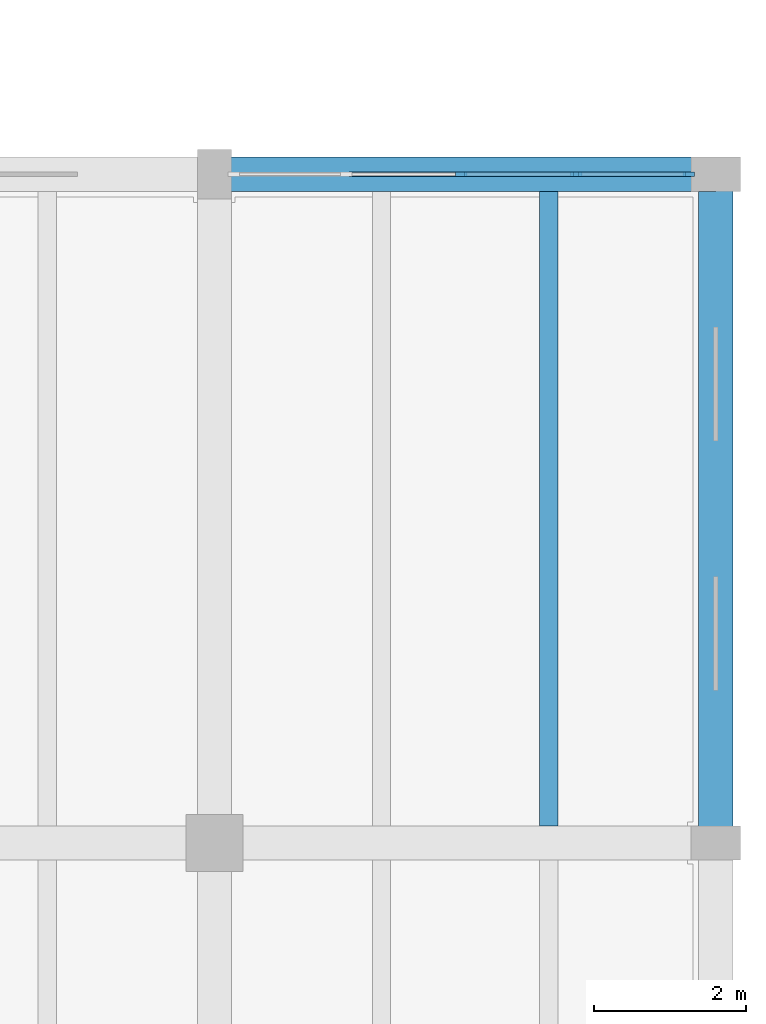
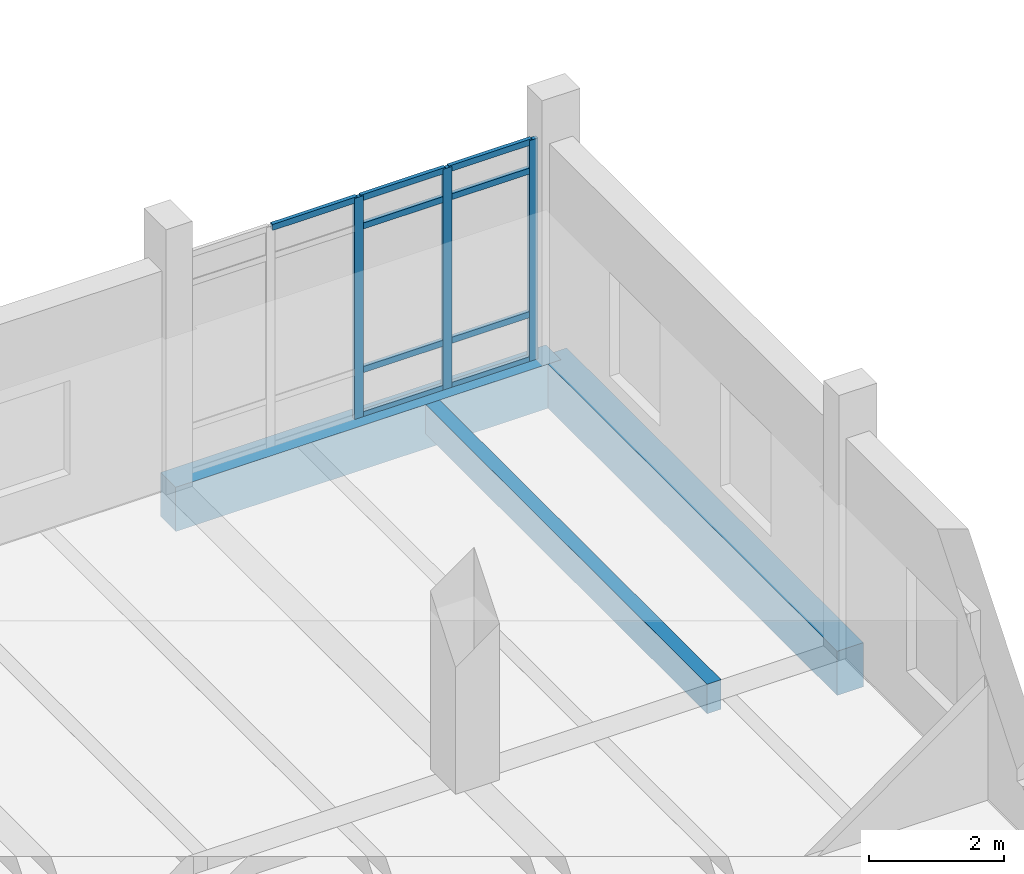
# One storey, part 51 of 125: 12 members, 3 beams, 1 element without a shape of its own.
"""IFC4 building model written with IfcOpenShell, lengths in metres."""

from ifc_helpers import new_model, si_unit, direction, frame, origin, origin_2d, place, context, subcontext, project, spatial, rectangle, extrude, material, material_profile, profile_set, type_object, element, aggregate, save


model = new_model("IFC4")

# Units and contexts
model_context = context("Model", 3, precision=1e-05, world=origin(), true_north=direction((0.0, 1.0)))
body_context = subcontext(model_context, "Body", "Model", "MODEL_VIEW")
ifc_project = project(units=[si_unit("LENGTHUNIT", "METRE"), si_unit("AREAUNIT", "SQUARE_METRE"), si_unit("VOLUMEUNIT", "CUBIC_METRE"), si_unit("PLANEANGLEUNIT", "RADIAN"), si_unit("MASSUNIT", "GRAM", prefix="KILO")], contexts=[model_context])

# Site, building, storey
site_placement = place(None, origin())
site = spatial("IfcSite", under=ifc_project, at=site_placement, CompositionType="ELEMENT")
building_placement = place(site_placement, origin())
building = spatial("IfcBuilding", under=site, at=building_placement, Name="Dornvale Research Institute", CompositionType="ELEMENT")
storey_placement = place(building_placement, frame((0.0, 0.0, 5.39990234375)))
storey = spatial("IfcBuildingStorey", under=building, at=storey_placement, Name="L01", CompositionType="ELEMENT", Elevation=5.39990234375)

# Beam
ifc_material_1 = material(Name="Concrete f'c 45 MPa (C35/45)", Category="concrete")
ifc_material_profile_1 = material_profile(ifc_material_1, rectangle(XDim=0.239990234375, YDim=0.534912109375, at=origin_2d()), Name="RC 240x535")
ifc_profile_set_1 = profile_set([ifc_material_profile_1], Name="Concrete f'c 45 MPa (C35/45)")
beam_type_1 = type_object("IfcBeamType", Name="Joist_RC240x535_Waffle", PredefinedType="JOIST", material=ifc_profile_set_1)
beam_1_placement = place(storey_placement, frame((176.0, 17.824951171875, -0.267333984375), z_axis=(0.0, 1.0, 0.0), x_axis=(-1.0, 0.0, 0.0)))
element("IfcBeam", 1, at=beam_1_placement, inside=storey, type_object=beam_type_1, Name="L01 laboratory waffle joist #276", PredefinedType="JOIST", context=body_context, shape_type="SweptSolid", body=[
    extrude(rectangle(XDim=0.239990234375, YDim=0.534912109375, at=origin_2d()), origin(), (0.0, 0.0, 1.0), 8.35009765625),
])

# Curtain wall, members
ifc_material_2 = material(Name="Low-E Argon Double Insulating Glazing Unit", Category="glass")
curtain_wall_type = type_object("IfcCurtainWallType", Name="UnitisedCurtainWall_V3_6050x4000", PredefinedType="USERDEFINED", material=ifc_material_2)
curtain_wall_placement = place(storey_placement, origin())
curtain_wall = element("IfcCurtainWall", 2, at=curtain_wall_placement, inside=storey, type_object=curtain_wall_type, Name="L01 V3 unitised curtain wall CW-07 #35", ObjectType="UNITISED CURTAIN WALL", PredefinedType="USERDEFINED")
ifc_material_3 = material(Name="Anodized Aluminum AA 6063-T6 Thermally Broken Frame", Category="aluminium")
ifc_material_profile_2 = material_profile(ifc_material_3, rectangle(XDim=0.06494140625, YDim=0.14990234375, at=origin_2d()), Name="ALU MULLION 65x150")
ifc_profile_set_2 = profile_set([ifc_material_profile_2], Name="Anodized Aluminum AA 6063-T6 Thermally Broken Frame")
member_type_1 = type_object("IfcMemberType", Name="Mullion_CW_65x150", PredefinedType="MULLION", material=ifc_profile_set_2)
member_1_placement = place(storey_placement, frame((174.85009765625, 26.39990234375, 0.0), z_axis=(0.0, 0.0, 1.0), x_axis=(0.0, 1.0, 0.0)))
member_1 = element("IfcMember", 3, at=member_1_placement, type_object=member_type_1, Name="CW-07 mullion 3", PredefinedType="MULLION", context=body_context, shape_type="SweptSolid", body=[
    extrude(rectangle(XDim=0.06494140625, YDim=0.14990234375, at=origin_2d()), origin(), (0.0, 0.0, 1.0), 4.0),
])
member_2_placement = place(storey_placement, frame((176.362548828125, 26.39990234375, 0.0), z_axis=(0.0, 0.0, 1.0), x_axis=(0.0, 1.0, 0.0)))
member_2 = element("IfcMember", 4, at=member_2_placement, type_object=member_type_1, Name="CW-07 mullion 4", PredefinedType="MULLION", context=body_context, shape_type="SweptSolid", body=[
    extrude(rectangle(XDim=0.06494140625, YDim=0.14990234375, at=origin_2d()), origin(), (0.0, 0.0, 1.0), 4.0),
])
member_3_placement = place(storey_placement, frame((177.842529296875, 26.39990234375, 0.0), z_axis=(0.0, 0.0, 1.0), x_axis=(0.0, 1.0, 0.0)))
member_3 = element("IfcMember", 5, at=member_3_placement, type_object=member_type_1, Name="CW-07 mullion 5", PredefinedType="MULLION", context=body_context, shape_type="SweptSolid", body=[
    extrude(rectangle(XDim=0.06494140625, YDim=0.14990234375, at=origin_2d()), origin(), (0.0, 0.0, 1.0), 4.0),
])

# Beams
ifc_material_4 = material(Name="Concrete f'c 45 MPa (C35/45)", Category="concrete")
ifc_material_profile_3 = material_profile(ifc_material_4, rectangle(XDim=0.449951171875, YDim=0.800048828125, at=origin_2d()), Name="RC 450x800")
ifc_profile_set_3 = profile_set([ifc_material_profile_3], Name="Concrete f'c 45 MPa (C35/45)")
beam_type_2 = type_object("IfcBeamType", Name="Spandrel_RC450x800_Ext", PredefinedType="SPANDREL", material=ifc_profile_set_3)
beam_2_placement = place(storey_placement, frame((171.60009765625, 26.39990234375, -0.39990234375), z_axis=(1.0, 0.0, 0.0), x_axis=(0.0, 1.0, 0.0)))
element("IfcBeam", 6, at=beam_2_placement, inside=storey, type_object=beam_type_2, Name="L01 perimeter spandrel #464", PredefinedType="SPANDREL", context=body_context, shape_type="SweptSolid", body=[
    extrude(rectangle(XDim=0.449951171875, YDim=0.800048828125, at=origin_2d()), origin(), (0.0, 0.0, 1.0), 6.599853515625),
])
beam_3_placement = place(storey_placement, frame((178.199951171875, 17.60009765625, -0.39990234375), z_axis=(0.0, 1.0, 0.0), x_axis=(-1.0, 0.0, 0.0)))
element("IfcBeam", 7, at=beam_3_placement, inside=storey, type_object=beam_type_2, Name="L01 perimeter spandrel #501", PredefinedType="SPANDREL", context=body_context, shape_type="SweptSolid", body=[
    extrude(rectangle(XDim=0.449951171875, YDim=0.800048828125, at=origin_2d()), origin(), (0.0, 0.0, 1.0), 8.7998046875),
])

# Member
ifc_material_5 = material(Name="Anodized Aluminum AA 6063-T6 Thermally Broken Frame", Category="aluminium")
ifc_material_profile_4 = material_profile(ifc_material_5, rectangle(XDim=0.06494140625, YDim=0.110107421875, at=origin_2d()), Name="ALU TRANSOM 65x110")
ifc_profile_set_4 = profile_set([ifc_material_profile_4], Name="Anodized Aluminum AA 6063-T6 Thermally Broken Frame")
member_type_2 = type_object("IfcMemberType", Name="Transom_CW_65x110", PredefinedType="USERDEFINED", material=ifc_profile_set_4)
member_4_placement = place(storey_placement, frame((173.3701171875, 26.39990234375, 3.967529296875), z_axis=(1.0, 0.0, 0.0), x_axis=(0.0, 1.0, 0.0)))
member_4 = element("IfcMember", 8, at=member_4_placement, type_object=member_type_2, Name="CW-07 transom 2.4", ObjectType="TRANSOM", PredefinedType="USERDEFINED", context=body_context, shape_type="SweptSolid", body=[
    extrude(rectangle(XDim=0.06494140625, YDim=0.110107421875, at=origin_2d()), origin(), (0.0, 0.0, 1.0), 1.447265625),
])

member_5_placement = place(storey_placement, frame((174.882568359375, 26.39990234375, 0.03271484375), z_axis=(1.0, 0.0, 0.0), x_axis=(0.0, 1.0, 0.0)))
member_5 = element("IfcMember", 9, at=member_5_placement, type_object=member_type_2, Name="CW-07 transom 3.1", ObjectType="TRANSOM", PredefinedType="USERDEFINED", context=body_context, shape_type="SweptSolid", body=[
    extrude(rectangle(XDim=0.06494140625, YDim=0.110107421875, at=origin_2d()), origin(), (0.0, 0.0, 1.0), 1.447509765625),
])

member_6_placement = place(storey_placement, frame((174.882568359375, 26.39990234375, 0.85009765625), z_axis=(1.0, 0.0, 0.0), x_axis=(0.0, 1.0, 0.0)))
member_6 = element("IfcMember", 10, at=member_6_placement, type_object=member_type_2, Name="CW-07 transom 3.2", ObjectType="TRANSOM", PredefinedType="USERDEFINED", context=body_context, shape_type="SweptSolid", body=[
    extrude(rectangle(XDim=0.06494140625, YDim=0.110107421875, at=origin_2d()), origin(), (0.0, 0.0, 1.0), 1.447509765625),
])

member_7_placement = place(storey_placement, frame((174.882568359375, 26.39990234375, 3.4501953125), z_axis=(1.0, 0.0, 0.0), x_axis=(0.0, 1.0, 0.0)))
member_7 = element("IfcMember", 11, at=member_7_placement, type_object=member_type_2, Name="CW-07 transom 3.3", ObjectType="TRANSOM", PredefinedType="USERDEFINED", context=body_context, shape_type="SweptSolid", body=[
    extrude(rectangle(XDim=0.06494140625, YDim=0.110107421875, at=origin_2d()), origin(), (0.0, 0.0, 1.0), 1.447509765625),
])

member_8_placement = place(storey_placement, frame((174.882568359375, 26.39990234375, 3.967529296875), z_axis=(1.0, 0.0, 0.0), x_axis=(0.0, 1.0, 0.0)))
member_8 = element("IfcMember", 12, at=member_8_placement, type_object=member_type_2, Name="CW-07 transom 3.4", ObjectType="TRANSOM", PredefinedType="USERDEFINED", context=body_context, shape_type="SweptSolid", body=[
    extrude(rectangle(XDim=0.06494140625, YDim=0.110107421875, at=origin_2d()), origin(), (0.0, 0.0, 1.0), 1.447509765625),
])

member_9_placement = place(storey_placement, frame((176.39501953125, 26.39990234375, 0.03271484375), z_axis=(1.0, 0.0, 0.0), x_axis=(0.0, 1.0, 0.0)))
member_9 = element("IfcMember", 13, at=member_9_placement, type_object=member_type_2, Name="CW-07 transom 4.1", ObjectType="TRANSOM", PredefinedType="USERDEFINED", context=body_context, shape_type="SweptSolid", body=[
    extrude(rectangle(XDim=0.06494140625, YDim=0.110107421875, at=origin_2d()), origin(), (0.0, 0.0, 1.0), 1.4150390625),
])

member_10_placement = place(storey_placement, frame((176.39501953125, 26.39990234375, 0.85009765625), z_axis=(1.0, 0.0, 0.0), x_axis=(0.0, 1.0, 0.0)))
member_10 = element("IfcMember", 14, at=member_10_placement, type_object=member_type_2, Name="CW-07 transom 4.2", ObjectType="TRANSOM", PredefinedType="USERDEFINED", context=body_context, shape_type="SweptSolid", body=[
    extrude(rectangle(XDim=0.06494140625, YDim=0.110107421875, at=origin_2d()), origin(), (0.0, 0.0, 1.0), 1.4150390625),
])

member_11_placement = place(storey_placement, frame((176.39501953125, 26.39990234375, 3.4501953125), z_axis=(1.0, 0.0, 0.0), x_axis=(0.0, 1.0, 0.0)))
member_11 = element("IfcMember", 15, at=member_11_placement, type_object=member_type_2, Name="CW-07 transom 4.3", ObjectType="TRANSOM", PredefinedType="USERDEFINED", context=body_context, shape_type="SweptSolid", body=[
    extrude(rectangle(XDim=0.06494140625, YDim=0.110107421875, at=origin_2d()), origin(), (0.0, 0.0, 1.0), 1.4150390625),
])

member_12_placement = place(storey_placement, frame((176.39501953125, 26.39990234375, 3.967529296875), z_axis=(1.0, 0.0, 0.0), x_axis=(0.0, 1.0, 0.0)))
member_12 = element("IfcMember", 16, at=member_12_placement, type_object=member_type_2, Name="CW-07 transom 4.4", ObjectType="TRANSOM", PredefinedType="USERDEFINED", context=body_context, shape_type="SweptSolid", body=[
    extrude(rectangle(XDim=0.06494140625, YDim=0.110107421875, at=origin_2d()), origin(), (0.0, 0.0, 1.0), 1.4150390625),
])

aggregate(curtain_wall, [member_1, member_2, member_3, member_4, member_5, member_6, member_7, member_8, member_9, member_10, member_11, member_12])

save(model, "model.ifc")
